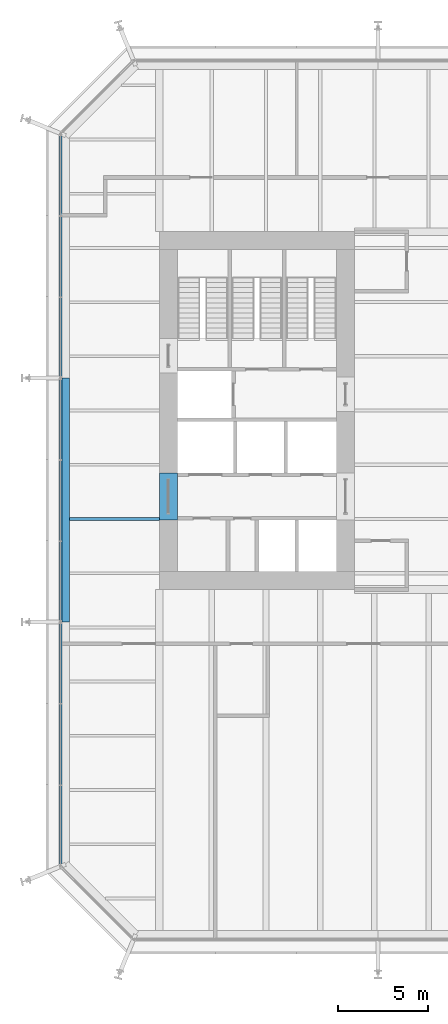
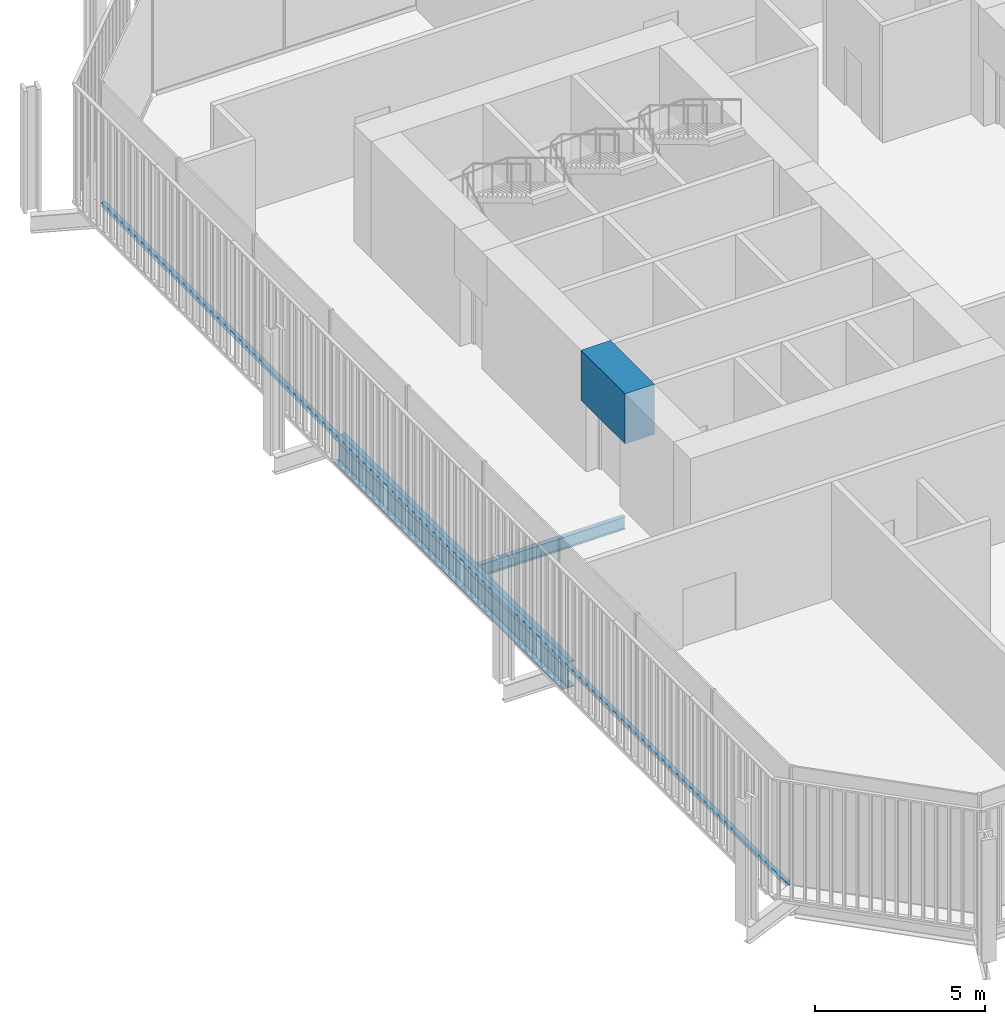
# One storey, part 6 of 20: 3 beams, 1 member, 1 element without a shape of its own.
"""IFC4 building model written with IfcOpenShell, lengths in metres."""

from ifc_helpers import new_model, si_unit, direction, frame, origin, origin_2d, place, context, subcontext, project, spatial, rectangle, i_section, extrude, material, layer, layer_set, material_profile, profile_set, type_object, element, aggregate, save


model = new_model("IFC4")

# Units and contexts
model_context = context("Model", 3, precision=1e-05, world=origin(), true_north=direction((0.0, 1.0)))
body_context = subcontext(model_context, "Body", "Model", "MODEL_VIEW")
ifc_project = project(units=[si_unit("LENGTHUNIT", "METRE"), si_unit("AREAUNIT", "SQUARE_METRE"), si_unit("VOLUMEUNIT", "CUBIC_METRE"), si_unit("PLANEANGLEUNIT", "RADIAN"), si_unit("MASSUNIT", "GRAM", prefix="KILO")], contexts=[model_context])

# Site, building, storey
site_placement = place(None, origin())
site = spatial("IfcSite", under=ifc_project, at=site_placement, CompositionType="ELEMENT")
building_placement = place(site_placement, origin())
building = spatial("IfcBuilding", under=site, at=building_placement, Name="Millrace Tower", CompositionType="ELEMENT")
storey_placement = place(building_placement, frame((0.0, 0.0, 77.60009765625)))
storey = spatial("IfcBuildingStorey", under=building, at=storey_placement, Name="L17", CompositionType="ELEMENT", Elevation=77.60009765625)

# Curtain wall, member
ifc_material_1 = material(Name="Aluminium and glass", Category="aluminium")
ifc_layer = layer(ifc_material_1, 0.14990234375)
ifc_layer_set = layer_set([ifc_layer], Name="Aluminium and glass")
curtain_wall_type = type_object("IfcCurtainWallType", Name="CW-3 telecom floor curtain wall", PredefinedType="NOTDEFINED", material=ifc_layer_set)
curtain_wall_placement = place(storey_placement, origin())
curtain_wall = element("IfcCurtainWall", 1, at=curtain_wall_placement, inside=storey, type_object=curtain_wall_type, Name="Curtain wall B-F08 L17", PredefinedType="NOTDEFINED")
ifc_material_2 = material(Name="Aluminium", Category="aluminium")
ifc_material_profile_1 = material_profile(ifc_material_2, rectangle(XDim=0.14990234375, YDim=0.14990234375, at=origin_2d()))
ifc_profile_set_1 = profile_set([ifc_material_profile_1], Name="Aluminium")
member_type = type_object("IfcMemberType", Name="CW-3 telecom floor curtain wall transom", PredefinedType="USERDEFINED", material=ifc_profile_set_1)
member_placement = place(storey_placement, frame((-20.375, 15.199951171875, 0.074951171875), z_axis=(0.0, -1.0, 0.0), x_axis=(1.0, 0.0, 0.0)))
member = element("IfcMember", 2, at=member_placement, type_object=member_type, Name="CW3 transom B-F08.1", ObjectType="TRANSOM", PredefinedType="USERDEFINED", context=body_context, shape_type="SweptSolid", body=[
    extrude(rectangle(XDim=0.14990234375, YDim=0.14990234375, at=origin_2d()), origin(), (0.0, 0.0, 1.0), 40.300048828125),
])
aggregate(curtain_wall, [member])

# Beams
ifc_material_3 = material(Name="Concrete C80", Category="concrete")
ifc_material_profile_2 = material_profile(ifc_material_3, rectangle(XDim=1.0, YDim=1.800048828125, at=origin_2d()))
ifc_profile_set_2 = profile_set([ifc_material_profile_2], Name="Concrete C80")
beam_type_1 = type_object("IfcBeamType", Name="Coupling beam 1000 x 1800 Concrete C80, 2000 opening", PredefinedType="BEAM", material=ifc_profile_set_2)
beam_1_placement = place(storey_placement, frame((-14.39990234375, -6.050048828125, 3.2998046875), z_axis=(0.0, 1.0, 0.0), x_axis=(-1.0, 0.0, 0.0)))
element("IfcBeam", 3, at=beam_1_placement, inside=storey, type_object=beam_type_1, Name="Coupling beam W L17", PredefinedType="BEAM", context=body_context, shape_type="SweptSolid", body=[
    extrude(rectangle(XDim=1.0, YDim=1.800048828125, at=origin_2d()), origin(), (0.0, 0.0, 1.0), 2.60009765625),
])
ifc_material_4 = material(Name="Steel ASTM A992 Grade 50", Category="steel")
ifc_material_profile_3 = material_profile(ifc_material_4, i_section(OverallWidth=0.15234375, OverallDepth=0.449462890625, WebThickness=0.007568359375, FlangeThickness=0.0107421875, FilletRadius=0.01025390625, at=origin_2d()))
ifc_profile_set_3 = profile_set([ifc_material_profile_3], Name="Steel ASTM A992 Grade 50")
beam_type_2 = type_object("IfcBeamType", Name="Floor beam W18x35", PredefinedType="JOIST", material=ifc_profile_set_3)
beam_2_placement = place(storey_placement, frame((-19.880859375, -6.0, -0.4248046875), z_axis=(1.0, 0.0, 0.0), x_axis=(0.0, 1.0, 0.0)))
element("IfcBeam", 4, at=beam_2_placement, inside=storey, type_object=beam_type_2, Name="BM-B-L17-S1-S017", PredefinedType="JOIST", context=body_context, shape_type="SweptSolid", body=[
    extrude(i_section(OverallWidth=0.15234375, OverallDepth=0.449462890625, WebThickness=0.007568359375, FlangeThickness=0.0107421875, FilletRadius=0.01025390625, at=origin_2d()), origin(), (0.0, 0.0, 1.0), 4.98095703125),
])
ifc_material_5 = material(Name="Steel ASTM A992 Grade 50", Category="steel")
ifc_material_profile_4 = material_profile(ifc_material_5, i_section(OverallWidth=0.419189453125, OverallDepth=0.927001953125, WebThickness=0.019287109375, FlangeThickness=0.031982421875, FilletRadius=0.024169921875, at=origin_2d()))
ifc_profile_set_4 = profile_set([ifc_material_profile_4], Name="Steel ASTM A992 Grade 50")
beam_type_3 = type_object("IfcBeamType", Name="Ring beam medium span W36x231", PredefinedType="SPANDREL", material=ifc_profile_set_4)
beam_3_placement = place(storey_placement, frame((-20.09033203125, -11.699951171875, -0.66357421875), z_axis=(0.0, 1.0, 0.0), x_axis=(-1.0, 0.0, 0.0)))
element("IfcBeam", 5, at=beam_3_placement, inside=storey, type_object=beam_type_3, Name="RNG-B-L17-S1-02", PredefinedType="SPANDREL", context=body_context, shape_type="SweptSolid", body=[
    extrude(i_section(OverallWidth=0.419189453125, OverallDepth=0.927001953125, WebThickness=0.019287109375, FlangeThickness=0.031982421875, FilletRadius=0.024169921875, at=origin_2d()), origin(), (0.0, 0.0, 1.0), 13.5),
])

save(model, "model.ifc")
